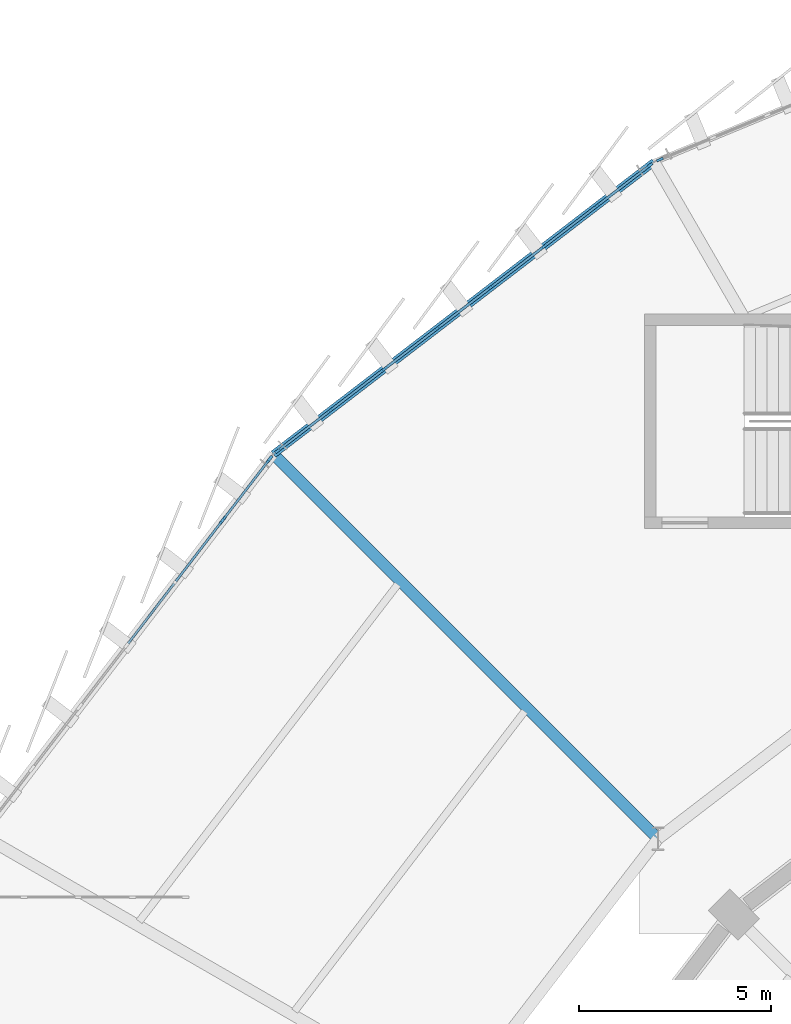
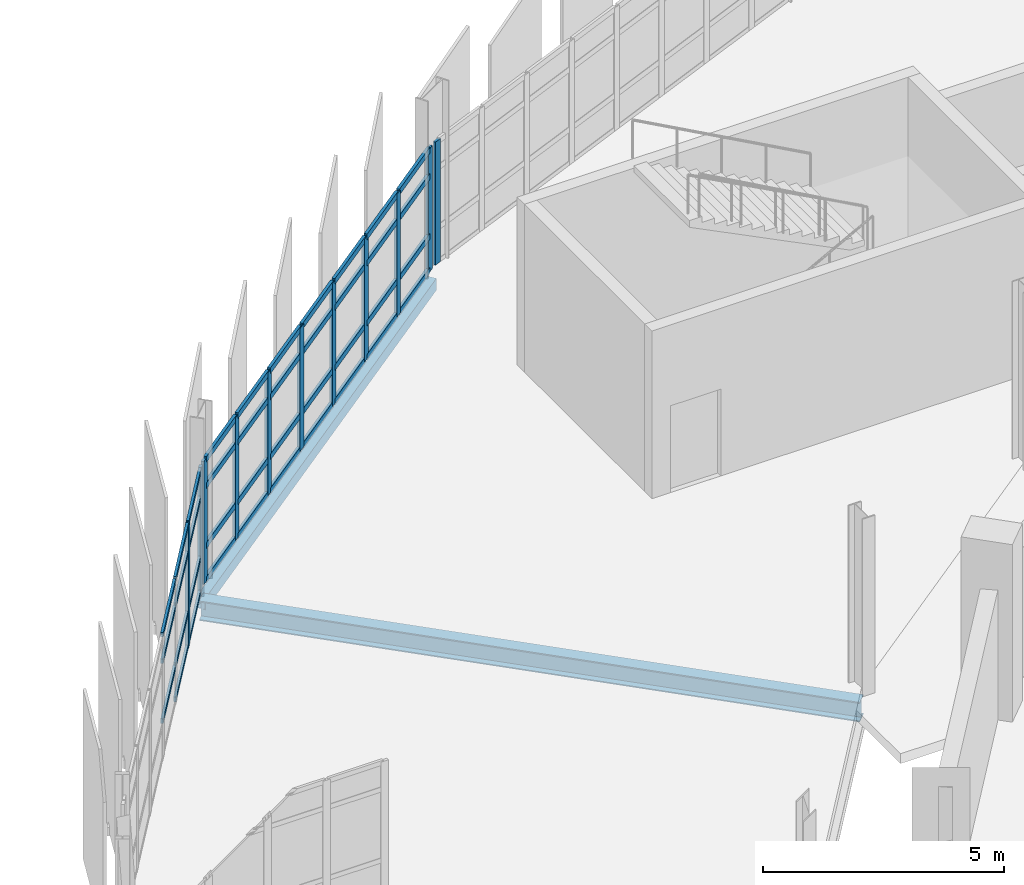
# One storey, part 52 of 134: 50 members, 2 beams, 3 elements without a shape of their own.
"""IFC4 building model written with IfcOpenShell, lengths in metres."""

from ifc_helpers import new_model, si_unit, direction, frame, origin, origin_2d, place, context, subcontext, project, spatial, rectangle, hollow_rectangle, i_section, extrude, material, layer, layer_set, material_profile, profile_set, type_object, element, aggregate, save


model = new_model("IFC4")

# Units and contexts
model_context = context("Model", 3, precision=1e-05, world=origin(), true_north=direction((0.0, 1.0)))
body_context = subcontext(model_context, "Body", "Model", "MODEL_VIEW")
ifc_project = project(units=[si_unit("LENGTHUNIT", "METRE"), si_unit("AREAUNIT", "SQUARE_METRE"), si_unit("VOLUMEUNIT", "CUBIC_METRE"), si_unit("PLANEANGLEUNIT", "RADIAN"), si_unit("MASSUNIT", "GRAM", prefix="KILO")], contexts=[model_context])

# Site, building, storey
site_placement = place(None, origin())
site = spatial("IfcSite", under=ifc_project, at=site_placement, CompositionType="ELEMENT")
building_placement = place(site_placement, origin())
building = spatial("IfcBuilding", under=site, at=building_placement, Name="Sohan Crest Arena", CompositionType="ELEMENT")
storey_placement = place(building_placement, frame((0.0, 0.0, 4.5)))
storey = spatial("IfcBuildingStorey", under=building, at=storey_placement, Name="L01", CompositionType="ELEMENT", Elevation=4.5)

# Curtain wall, member
ifc_material_1 = material(Name="Thermally broken anodised aluminium", Category="aluminium")
ifc_layer_1 = layer(ifc_material_1, 0.199951171875, Name="Thermally broken anodised aluminium")
ifc_layer_set_1 = layer_set([ifc_layer_1], Name="Thermally broken anodised aluminium")
curtain_wall_type_1 = type_object("IfcCurtainWallType", Name="ARC-CW02", PredefinedType="NOTDEFINED", material=ifc_layer_set_1)
curtain_wall_1_placement = place(storey_placement, origin())
curtain_wall_1 = element("IfcCurtainWall", 1, at=curtain_wall_1_placement, inside=storey, type_object=curtain_wall_type_1, Name="Unitised curtain wall CW-021", PredefinedType="NOTDEFINED")
ifc_material_profile_1 = material_profile(ifc_material_1, rectangle(XDim=0.06494140625, YDim=0.179931640625, at=origin_2d()), Name="ALU-MULL 65x180")
ifc_profile_set_1 = profile_set([ifc_material_profile_1], Name="Thermally broken anodised aluminium")
member_type_1 = type_object("IfcMemberType", Name="ARC-CW-ML02", PredefinedType="MULLION", material=ifc_profile_set_1)
member_1_placement = place(storey_placement, frame((74.150146484375, 119.63134765625, 0.0), z_axis=(0.0, 0.0, 1.0), x_axis=(0.382618103525, -0.923906589897, 0.0)))
member_1 = element("IfcMember", 2, at=member_1_placement, type_object=member_type_1, Name="CW-021 mullion 9", PredefinedType="MULLION", context=body_context, shape_type="SweptSolid", body=[
    extrude(rectangle(XDim=0.06494140625, YDim=0.179931640625, at=origin_2d()), origin(), (0.0, 0.0, 1.0), 3.1201171875),
])
aggregate(curtain_wall_1, [member_1])

# Curtain wall, members
ifc_layer_2 = layer(ifc_material_1, 0.219970703125, Name="Thermally broken anodised aluminium")
ifc_layer_set_2 = layer_set([ifc_layer_2], Name="Thermally broken anodised aluminium")
curtain_wall_type_2 = type_object("IfcCurtainWallType", Name="ARC-CW03", PredefinedType="NOTDEFINED", material=ifc_layer_set_2)
curtain_wall_2_placement = place(storey_placement, origin())
curtain_wall_2 = element("IfcCurtainWall", 3, at=curtain_wall_2_placement, inside=storey, type_object=curtain_wall_type_2, Name="Unitised curtain wall CW-022", PredefinedType="NOTDEFINED")
ifc_material_profile_2 = material_profile(ifc_material_1, rectangle(XDim=0.070068359375, YDim=0.199951171875, at=origin_2d()), Name="ALU-MULL 70x200")
ifc_profile_set_2 = profile_set([ifc_material_profile_2], Name="Thermally broken anodised aluminium")
member_type_2 = type_object("IfcMemberType", Name="ARC-CW-ML03", PredefinedType="MULLION", material=ifc_profile_set_2)
member_2_placement = place(storey_placement, frame((73.869140625, 119.46875, 0.0), z_axis=(0.0, 0.0, 1.0), x_axis=(0.608765110447, -0.793350515411, 0.0)))
member_2 = element("IfcMember", 4, at=member_2_placement, type_object=member_type_2, Name="CW-022 mullion 1", PredefinedType="MULLION", context=body_context, shape_type="SweptSolid", body=[
    extrude(rectangle(XDim=0.070068359375, YDim=0.199951171875, at=origin_2d()), origin(), (0.0, 0.0, 1.0), 3.1201171875),
])
member_3_placement = place(storey_placement, frame((72.50634765625, 118.4228515625, 0.0), z_axis=(0.0, 0.0, 1.0), x_axis=(0.608765110447, -0.793350515411, 0.0)))
member_3 = element("IfcMember", 5, at=member_3_placement, type_object=member_type_2, Name="CW-022 mullion 2", PredefinedType="MULLION", context=body_context, shape_type="SweptSolid", body=[
    extrude(rectangle(XDim=0.070068359375, YDim=0.199951171875, at=origin_2d()), origin(), (0.0, 0.0, 1.0), 3.1201171875),
])
member_4_placement = place(storey_placement, frame((71.115478515625, 117.355712890625, 0.0), z_axis=(0.0, 0.0, 1.0), x_axis=(0.608765110447, -0.793350515411, 0.0)))
member_4 = element("IfcMember", 6, at=member_4_placement, type_object=member_type_2, Name="CW-022 mullion 3", PredefinedType="MULLION", context=body_context, shape_type="SweptSolid", body=[
    extrude(rectangle(XDim=0.070068359375, YDim=0.199951171875, at=origin_2d()), origin(), (0.0, 0.0, 1.0), 3.1201171875),
])
member_5_placement = place(storey_placement, frame((69.724853515625, 116.28857421875, 0.0), z_axis=(0.0, 0.0, 1.0), x_axis=(0.608765110447, -0.793350515411, 0.0)))
member_5 = element("IfcMember", 7, at=member_5_placement, type_object=member_type_2, Name="CW-022 mullion 4", PredefinedType="MULLION", context=body_context, shape_type="SweptSolid", body=[
    extrude(rectangle(XDim=0.070068359375, YDim=0.199951171875, at=origin_2d()), origin(), (0.0, 0.0, 1.0), 3.1201171875),
])
member_6_placement = place(storey_placement, frame((68.334228515625, 115.221435546875, 0.0), z_axis=(0.0, 0.0, 1.0), x_axis=(0.608765110447, -0.793350515411, 0.0)))
member_6 = element("IfcMember", 8, at=member_6_placement, type_object=member_type_2, Name="CW-022 mullion 5", PredefinedType="MULLION", context=body_context, shape_type="SweptSolid", body=[
    extrude(rectangle(XDim=0.070068359375, YDim=0.199951171875, at=origin_2d()), origin(), (0.0, 0.0, 1.0), 3.1201171875),
])
member_7_placement = place(storey_placement, frame((66.943359375, 114.154296875, 0.0), z_axis=(0.0, 0.0, 1.0), x_axis=(0.608765110447, -0.793350515411, 0.0)))
member_7 = element("IfcMember", 9, at=member_7_placement, type_object=member_type_2, Name="CW-022 mullion 6", PredefinedType="MULLION", context=body_context, shape_type="SweptSolid", body=[
    extrude(rectangle(XDim=0.070068359375, YDim=0.199951171875, at=origin_2d()), origin(), (0.0, 0.0, 1.0), 3.1201171875),
])
member_8_placement = place(storey_placement, frame((65.552734375, 113.087158203125, 0.0), z_axis=(0.0, 0.0, 1.0), x_axis=(0.608765110447, -0.793350515411, 0.0)))
member_8 = element("IfcMember", 10, at=member_8_placement, type_object=member_type_2, Name="CW-022 mullion 7", PredefinedType="MULLION", context=body_context, shape_type="SweptSolid", body=[
    extrude(rectangle(XDim=0.070068359375, YDim=0.199951171875, at=origin_2d()), origin(), (0.0, 0.0, 1.0), 3.1201171875),
])
member_9_placement = place(storey_placement, frame((64.189697265625, 112.041259765625, 0.0), z_axis=(0.0, 0.0, 1.0), x_axis=(0.608765110447, -0.793350515411, 0.0)))
member_9 = element("IfcMember", 11, at=member_9_placement, type_object=member_type_2, Name="CW-022 mullion 8", PredefinedType="MULLION", context=body_context, shape_type="SweptSolid", body=[
    extrude(rectangle(XDim=0.070068359375, YDim=0.199951171875, at=origin_2d()), origin(), (0.0, 0.0, 1.0), 3.1201171875),
])

ifc_layer_3 = layer(ifc_material_1, 0.239990234375, Name="Thermally broken anodised aluminium")
ifc_layer_set_3 = layer_set([ifc_layer_3], Name="Thermally broken anodised aluminium")
curtain_wall_type_3 = type_object("IfcCurtainWallType", Name="ARC-CW04", PredefinedType="NOTDEFINED", material=ifc_layer_set_3)
curtain_wall_3_placement = place(storey_placement, origin())
curtain_wall_3 = element("IfcCurtainWall", 12, at=curtain_wall_3_placement, inside=storey, type_object=curtain_wall_type_3, Name="Unitised curtain wall CW-023", PredefinedType="NOTDEFINED")
ifc_material_profile_3 = material_profile(ifc_material_1, rectangle(XDim=0.074951171875, YDim=0.219970703125, at=origin_2d()), Name="ALU-MULL 75x220")
ifc_profile_set_3 = profile_set([ifc_material_profile_3], Name="Thermally broken anodised aluminium")
member_type_3 = type_object("IfcMemberType", Name="ARC-CW-ML04", PredefinedType="MULLION", material=ifc_profile_set_3)
member_10_placement = place(storey_placement, frame((63.957275390625, 111.808349609375, 0.0), z_axis=(0.0, 0.0, 1.0), x_axis=(0.793350515411, -0.608765110447, 0.0)))
member_10 = element("IfcMember", 13, at=member_10_placement, type_object=member_type_3, Name="CW-023 mullion 1", PredefinedType="MULLION", context=body_context, shape_type="SweptSolid", body=[
    extrude(rectangle(XDim=0.074951171875, YDim=0.219970703125, at=origin_2d()), origin(), (0.0, 0.0, 1.0), 3.1201171875),
])
member_11_placement = place(storey_placement, frame((62.735107421875, 110.215576171875, 0.0), z_axis=(0.0, 0.0, 1.0), x_axis=(0.793350515411, -0.608765110447, 0.0)))
member_11 = element("IfcMember", 14, at=member_11_placement, type_object=member_type_3, Name="CW-023 mullion 2", PredefinedType="MULLION", context=body_context, shape_type="SweptSolid", body=[
    extrude(rectangle(XDim=0.074951171875, YDim=0.219970703125, at=origin_2d()), origin(), (0.0, 0.0, 1.0), 3.1201171875),
])
ifc_material_profile_4 = material_profile(ifc_material_1, rectangle(XDim=0.06005859375, YDim=0.1201171875, at=origin_2d()), Name="ALU-TRAN 60x120")
ifc_profile_set_4 = profile_set([ifc_material_profile_4], Name="Thermally broken anodised aluminium")
member_type_4 = type_object("IfcMemberType", Name="ARC-CW-TR01", PredefinedType="USERDEFINED", material=ifc_profile_set_4)
member_12_placement = place(storey_placement, frame((63.934326171875, 111.778564453125, 0.030029296875), z_axis=(-0.60877625917, -0.793341960488, 0.0), x_axis=(0.793341960488, -0.60877625917, 0.0)))
member_12 = element("IfcMember", 15, at=member_12_placement, type_object=member_type_4, Name="CW-023 transom 1.1", ObjectType="TRANSOM", PredefinedType="USERDEFINED", context=body_context, shape_type="SweptSolid", body=[
    extrude(rectangle(XDim=0.06005859375, YDim=0.1201171875, at=origin_2d()), origin(), (0.0, 0.0, 1.0), 1.9326171875),
])
member_13_placement = place(storey_placement, frame((63.934326171875, 111.778564453125, 0.89990234375), z_axis=(-0.60877625917, -0.793341960488, 0.0), x_axis=(0.793341960488, -0.60877625917, 0.0)))
member_13 = element("IfcMember", 16, at=member_13_placement, type_object=member_type_4, Name="CW-023 transom 1.2", ObjectType="TRANSOM", PredefinedType="USERDEFINED", context=body_context, shape_type="SweptSolid", body=[
    extrude(rectangle(XDim=0.06005859375, YDim=0.1201171875, at=origin_2d()), origin(), (0.0, 0.0, 1.0), 1.9326171875),
])
member_14_placement = place(storey_placement, frame((63.934326171875, 111.778564453125, 2.419921875), z_axis=(-0.60877625917, -0.793341960488, 0.0), x_axis=(0.793341960488, -0.60877625917, 0.0)))
member_14 = element("IfcMember", 17, at=member_14_placement, type_object=member_type_4, Name="CW-023 transom 1.3", ObjectType="TRANSOM", PredefinedType="USERDEFINED", context=body_context, shape_type="SweptSolid", body=[
    extrude(rectangle(XDim=0.06005859375, YDim=0.1201171875, at=origin_2d()), origin(), (0.0, 0.0, 1.0), 1.9326171875),
])
member_15_placement = place(storey_placement, frame((63.934326171875, 111.778564453125, 3.090087890625), z_axis=(-0.60877625917, -0.793341960488, 0.0), x_axis=(0.793341960488, -0.60877625917, 0.0)))
member_15 = element("IfcMember", 18, at=member_15_placement, type_object=member_type_4, Name="CW-023 transom 1.4", ObjectType="TRANSOM", PredefinedType="USERDEFINED", context=body_context, shape_type="SweptSolid", body=[
    extrude(rectangle(XDim=0.06005859375, YDim=0.1201171875, at=origin_2d()), origin(), (0.0, 0.0, 1.0), 1.9326171875),
])
member_16_placement = place(storey_placement, frame((62.712158203125, 110.185791015625, 0.030029296875), z_axis=(-0.608728092779, -0.793378918968, 0.0), x_axis=(0.793378918968, -0.608728092779, 0.0)))
member_16 = element("IfcMember", 19, at=member_16_placement, type_object=member_type_4, Name="CW-023 transom 2.1", ObjectType="TRANSOM", PredefinedType="USERDEFINED", context=body_context, shape_type="SweptSolid", body=[
    extrude(rectangle(XDim=0.06005859375, YDim=0.1201171875, at=origin_2d()), origin(), (0.0, 0.0, 1.0), 1.969970703125),
])
member_17_placement = place(storey_placement, frame((62.712158203125, 110.185791015625, 0.89990234375), z_axis=(-0.608728092779, -0.793378918968, 0.0), x_axis=(0.793378918968, -0.608728092779, 0.0)))
member_17 = element("IfcMember", 20, at=member_17_placement, type_object=member_type_4, Name="CW-023 transom 2.2", ObjectType="TRANSOM", PredefinedType="USERDEFINED", context=body_context, shape_type="SweptSolid", body=[
    extrude(rectangle(XDim=0.06005859375, YDim=0.1201171875, at=origin_2d()), origin(), (0.0, 0.0, 1.0), 1.969970703125),
])
member_18_placement = place(storey_placement, frame((62.712158203125, 110.185791015625, 2.419921875), z_axis=(-0.608728092779, -0.793378918968, 0.0), x_axis=(0.793378918968, -0.608728092779, 0.0)))
member_18 = element("IfcMember", 21, at=member_18_placement, type_object=member_type_4, Name="CW-023 transom 2.3", ObjectType="TRANSOM", PredefinedType="USERDEFINED", context=body_context, shape_type="SweptSolid", body=[
    extrude(rectangle(XDim=0.06005859375, YDim=0.1201171875, at=origin_2d()), origin(), (0.0, 0.0, 1.0), 1.969970703125),
])
member_19_placement = place(storey_placement, frame((62.712158203125, 110.185791015625, 3.090087890625), z_axis=(-0.608728092779, -0.793378918968, 0.0), x_axis=(0.793378918968, -0.608728092779, 0.0)))
member_19 = element("IfcMember", 22, at=member_19_placement, type_object=member_type_4, Name="CW-023 transom 2.4", ObjectType="TRANSOM", PredefinedType="USERDEFINED", context=body_context, shape_type="SweptSolid", body=[
    extrude(rectangle(XDim=0.06005859375, YDim=0.1201171875, at=origin_2d()), origin(), (0.0, 0.0, 1.0), 1.969970703125),
])
member_20_placement = place(storey_placement, frame((61.46728515625, 108.563232421875, 0.89990234375), z_axis=(-0.608806089645, -0.793319068982, 0.0), x_axis=(0.793319068982, -0.608806089645, 0.0)))
member_20 = element("IfcMember", 23, at=member_20_placement, type_object=member_type_4, Name="CW-023 transom 3.2", ObjectType="TRANSOM", PredefinedType="USERDEFINED", context=body_context, shape_type="SweptSolid", body=[
    extrude(rectangle(XDim=0.06005859375, YDim=0.1201171875, at=origin_2d()), origin(), (0.0, 0.0, 1.0), 1.97021484375),
])
member_21_placement = place(storey_placement, frame((61.46728515625, 108.563232421875, 2.419921875), z_axis=(-0.608806089645, -0.793319068982, 0.0), x_axis=(0.793319068982, -0.608806089645, 0.0)))
member_21 = element("IfcMember", 24, at=member_21_placement, type_object=member_type_4, Name="CW-023 transom 3.3", ObjectType="TRANSOM", PredefinedType="USERDEFINED", context=body_context, shape_type="SweptSolid", body=[
    extrude(rectangle(XDim=0.06005859375, YDim=0.1201171875, at=origin_2d()), origin(), (0.0, 0.0, 1.0), 1.97021484375),
])
member_22_placement = place(storey_placement, frame((61.46728515625, 108.563232421875, 3.090087890625), z_axis=(-0.608806089645, -0.793319068982, 0.0), x_axis=(0.793319068982, -0.608806089645, 0.0)))
member_22 = element("IfcMember", 25, at=member_22_placement, type_object=member_type_4, Name="CW-023 transom 3.4", ObjectType="TRANSOM", PredefinedType="USERDEFINED", context=body_context, shape_type="SweptSolid", body=[
    extrude(rectangle(XDim=0.06005859375, YDim=0.1201171875, at=origin_2d()), origin(), (0.0, 0.0, 1.0), 1.97021484375),
])
aggregate(curtain_wall_3, [member_10, member_11, member_12, member_13, member_14, member_15, member_16, member_17, member_18, member_19, member_20, member_21, member_22])

# Member
ifc_material_profile_5 = material_profile(ifc_material_1, rectangle(XDim=0.070068359375, YDim=0.14990234375, at=origin_2d()), Name="ALU-TRAN 70x150")
ifc_profile_set_5 = profile_set([ifc_material_profile_5], Name="Thermally broken anodised aluminium")
member_type_5 = type_object("IfcMemberType", Name="ARC-CW-TR03", PredefinedType="USERDEFINED", material=ifc_profile_set_5)
member_23_placement = place(storey_placement, frame((73.841552734375, 119.447265625, 0.034912109375), z_axis=(-0.793410811207, -0.608686524132, 0.0), x_axis=(0.608686524132, -0.793410811207, 0.0)))
member_23 = element("IfcMember", 26, at=member_23_placement, type_object=member_type_5, Name="CW-022 transom 1.1", ObjectType="TRANSOM", PredefinedType="USERDEFINED", context=body_context, shape_type="SweptSolid", body=[
    extrude(rectangle(XDim=0.070068359375, YDim=0.14990234375, at=origin_2d()), origin(), (0.0, 0.0, 1.0), 1.648193359375),
])

member_24_placement = place(storey_placement, frame((73.841552734375, 119.447265625, 0.89990234375), z_axis=(-0.793410811207, -0.608686524132, 0.0), x_axis=(0.608686524132, -0.793410811207, 0.0)))
member_24 = element("IfcMember", 27, at=member_24_placement, type_object=member_type_5, Name="CW-022 transom 1.2", ObjectType="TRANSOM", PredefinedType="USERDEFINED", context=body_context, shape_type="SweptSolid", body=[
    extrude(rectangle(XDim=0.070068359375, YDim=0.14990234375, at=origin_2d()), origin(), (0.0, 0.0, 1.0), 1.648193359375),
])

member_25_placement = place(storey_placement, frame((73.841552734375, 119.447265625, 2.419921875), z_axis=(-0.793410811207, -0.608686524132, 0.0), x_axis=(0.608686524132, -0.793410811207, 0.0)))
member_25 = element("IfcMember", 28, at=member_25_placement, type_object=member_type_5, Name="CW-022 transom 1.3", ObjectType="TRANSOM", PredefinedType="USERDEFINED", context=body_context, shape_type="SweptSolid", body=[
    extrude(rectangle(XDim=0.070068359375, YDim=0.14990234375, at=origin_2d()), origin(), (0.0, 0.0, 1.0), 1.648193359375),
])

member_26_placement = place(storey_placement, frame((73.841552734375, 119.447265625, 3.0849609375), z_axis=(-0.793410811207, -0.608686524132, 0.0), x_axis=(0.608686524132, -0.793410811207, 0.0)))
member_26 = element("IfcMember", 29, at=member_26_placement, type_object=member_type_5, Name="CW-022 transom 1.4", ObjectType="TRANSOM", PredefinedType="USERDEFINED", context=body_context, shape_type="SweptSolid", body=[
    extrude(rectangle(XDim=0.070068359375, YDim=0.14990234375, at=origin_2d()), origin(), (0.0, 0.0, 1.0), 1.648193359375),
])

member_27_placement = place(storey_placement, frame((72.478515625, 118.401611328125, 0.034912109375), z_axis=(-0.793319101812, -0.608806046865, 0.0), x_axis=(0.608806046865, -0.793319101812, 0.0)))
member_27 = element("IfcMember", 30, at=member_27_placement, type_object=member_type_5, Name="CW-022 transom 2.1", ObjectType="TRANSOM", PredefinedType="USERDEFINED", context=body_context, shape_type="SweptSolid", body=[
    extrude(rectangle(XDim=0.070068359375, YDim=0.14990234375, at=origin_2d()), origin(), (0.0, 0.0, 1.0), 1.68310546875),
])

member_28_placement = place(storey_placement, frame((72.478515625, 118.401611328125, 0.89990234375), z_axis=(-0.793319101812, -0.608806046865, 0.0), x_axis=(0.608806046865, -0.793319101812, 0.0)))
member_28 = element("IfcMember", 31, at=member_28_placement, type_object=member_type_5, Name="CW-022 transom 2.2", ObjectType="TRANSOM", PredefinedType="USERDEFINED", context=body_context, shape_type="SweptSolid", body=[
    extrude(rectangle(XDim=0.070068359375, YDim=0.14990234375, at=origin_2d()), origin(), (0.0, 0.0, 1.0), 1.68310546875),
])

member_29_placement = place(storey_placement, frame((72.478515625, 118.401611328125, 2.419921875), z_axis=(-0.793319101812, -0.608806046865, 0.0), x_axis=(0.608806046865, -0.793319101812, 0.0)))
member_29 = element("IfcMember", 32, at=member_29_placement, type_object=member_type_5, Name="CW-022 transom 2.3", ObjectType="TRANSOM", PredefinedType="USERDEFINED", context=body_context, shape_type="SweptSolid", body=[
    extrude(rectangle(XDim=0.070068359375, YDim=0.14990234375, at=origin_2d()), origin(), (0.0, 0.0, 1.0), 1.68310546875),
])

member_30_placement = place(storey_placement, frame((72.478515625, 118.401611328125, 3.0849609375), z_axis=(-0.793319101812, -0.608806046865, 0.0), x_axis=(0.608806046865, -0.793319101812, 0.0)))
member_30 = element("IfcMember", 33, at=member_30_placement, type_object=member_type_5, Name="CW-022 transom 2.4", ObjectType="TRANSOM", PredefinedType="USERDEFINED", context=body_context, shape_type="SweptSolid", body=[
    extrude(rectangle(XDim=0.070068359375, YDim=0.14990234375, at=origin_2d()), origin(), (0.0, 0.0, 1.0), 1.68310546875),
])

member_31_placement = place(storey_placement, frame((71.087890625, 117.33447265625, 0.034912109375), z_axis=(-0.793319101812, -0.608806046865, 0.0), x_axis=(0.608806046865, -0.793319101812, 0.0)))
member_31 = element("IfcMember", 34, at=member_31_placement, type_object=member_type_5, Name="CW-022 transom 3.1", ObjectType="TRANSOM", PredefinedType="USERDEFINED", context=body_context, shape_type="SweptSolid", body=[
    extrude(rectangle(XDim=0.070068359375, YDim=0.14990234375, at=origin_2d()), origin(), (0.0, 0.0, 1.0), 1.68310546875),
])

member_32_placement = place(storey_placement, frame((71.087890625, 117.33447265625, 0.89990234375), z_axis=(-0.793319101812, -0.608806046865, 0.0), x_axis=(0.608806046865, -0.793319101812, 0.0)))
member_32 = element("IfcMember", 35, at=member_32_placement, type_object=member_type_5, Name="CW-022 transom 3.2", ObjectType="TRANSOM", PredefinedType="USERDEFINED", context=body_context, shape_type="SweptSolid", body=[
    extrude(rectangle(XDim=0.070068359375, YDim=0.14990234375, at=origin_2d()), origin(), (0.0, 0.0, 1.0), 1.68310546875),
])

member_33_placement = place(storey_placement, frame((71.087890625, 117.33447265625, 2.419921875), z_axis=(-0.793319101812, -0.608806046865, 0.0), x_axis=(0.608806046865, -0.793319101812, 0.0)))
member_33 = element("IfcMember", 36, at=member_33_placement, type_object=member_type_5, Name="CW-022 transom 3.3", ObjectType="TRANSOM", PredefinedType="USERDEFINED", context=body_context, shape_type="SweptSolid", body=[
    extrude(rectangle(XDim=0.070068359375, YDim=0.14990234375, at=origin_2d()), origin(), (0.0, 0.0, 1.0), 1.68310546875),
])

member_34_placement = place(storey_placement, frame((71.087890625, 117.33447265625, 3.0849609375), z_axis=(-0.793319101812, -0.608806046865, 0.0), x_axis=(0.608806046865, -0.793319101812, 0.0)))
member_34 = element("IfcMember", 37, at=member_34_placement, type_object=member_type_5, Name="CW-022 transom 3.4", ObjectType="TRANSOM", PredefinedType="USERDEFINED", context=body_context, shape_type="SweptSolid", body=[
    extrude(rectangle(XDim=0.070068359375, YDim=0.14990234375, at=origin_2d()), origin(), (0.0, 0.0, 1.0), 1.68310546875),
])

member_35_placement = place(storey_placement, frame((69.697021484375, 116.267333984375, 0.034912109375), z_axis=(-0.793319101812, -0.608806046865, 0.0), x_axis=(0.608806046865, -0.793319101812, 0.0)))
member_35 = element("IfcMember", 38, at=member_35_placement, type_object=member_type_5, Name="CW-022 transom 4.1", ObjectType="TRANSOM", PredefinedType="USERDEFINED", context=body_context, shape_type="SweptSolid", body=[
    extrude(rectangle(XDim=0.070068359375, YDim=0.14990234375, at=origin_2d()), origin(), (0.0, 0.0, 1.0), 1.68310546875),
])

member_36_placement = place(storey_placement, frame((69.697021484375, 116.267333984375, 0.89990234375), z_axis=(-0.793319101812, -0.608806046865, 0.0), x_axis=(0.608806046865, -0.793319101812, 0.0)))
member_36 = element("IfcMember", 39, at=member_36_placement, type_object=member_type_5, Name="CW-022 transom 4.2", ObjectType="TRANSOM", PredefinedType="USERDEFINED", context=body_context, shape_type="SweptSolid", body=[
    extrude(rectangle(XDim=0.070068359375, YDim=0.14990234375, at=origin_2d()), origin(), (0.0, 0.0, 1.0), 1.68310546875),
])

member_37_placement = place(storey_placement, frame((69.697021484375, 116.267333984375, 2.419921875), z_axis=(-0.793319101812, -0.608806046865, 0.0), x_axis=(0.608806046865, -0.793319101812, 0.0)))
member_37 = element("IfcMember", 40, at=member_37_placement, type_object=member_type_5, Name="CW-022 transom 4.3", ObjectType="TRANSOM", PredefinedType="USERDEFINED", context=body_context, shape_type="SweptSolid", body=[
    extrude(rectangle(XDim=0.070068359375, YDim=0.14990234375, at=origin_2d()), origin(), (0.0, 0.0, 1.0), 1.68310546875),
])

member_38_placement = place(storey_placement, frame((69.697021484375, 116.267333984375, 3.0849609375), z_axis=(-0.793319101812, -0.608806046865, 0.0), x_axis=(0.608806046865, -0.793319101812, 0.0)))
member_38 = element("IfcMember", 41, at=member_38_placement, type_object=member_type_5, Name="CW-022 transom 4.4", ObjectType="TRANSOM", PredefinedType="USERDEFINED", context=body_context, shape_type="SweptSolid", body=[
    extrude(rectangle(XDim=0.070068359375, YDim=0.14990234375, at=origin_2d()), origin(), (0.0, 0.0, 1.0), 1.68310546875),
])

member_39_placement = place(storey_placement, frame((68.306396484375, 115.2001953125, 0.034912109375), z_axis=(-0.793319101812, -0.608806046865, 0.0), x_axis=(0.608806046865, -0.793319101812, 0.0)))
member_39 = element("IfcMember", 42, at=member_39_placement, type_object=member_type_5, Name="CW-022 transom 5.1", ObjectType="TRANSOM", PredefinedType="USERDEFINED", context=body_context, shape_type="SweptSolid", body=[
    extrude(rectangle(XDim=0.070068359375, YDim=0.14990234375, at=origin_2d()), origin(), (0.0, 0.0, 1.0), 1.68310546875),
])

member_40_placement = place(storey_placement, frame((68.306396484375, 115.2001953125, 0.89990234375), z_axis=(-0.793319101812, -0.608806046865, 0.0), x_axis=(0.608806046865, -0.793319101812, 0.0)))
member_40 = element("IfcMember", 43, at=member_40_placement, type_object=member_type_5, Name="CW-022 transom 5.2", ObjectType="TRANSOM", PredefinedType="USERDEFINED", context=body_context, shape_type="SweptSolid", body=[
    extrude(rectangle(XDim=0.070068359375, YDim=0.14990234375, at=origin_2d()), origin(), (0.0, 0.0, 1.0), 1.68310546875),
])

member_41_placement = place(storey_placement, frame((68.306396484375, 115.2001953125, 2.419921875), z_axis=(-0.793319101812, -0.608806046865, 0.0), x_axis=(0.608806046865, -0.793319101812, 0.0)))
member_41 = element("IfcMember", 44, at=member_41_placement, type_object=member_type_5, Name="CW-022 transom 5.3", ObjectType="TRANSOM", PredefinedType="USERDEFINED", context=body_context, shape_type="SweptSolid", body=[
    extrude(rectangle(XDim=0.070068359375, YDim=0.14990234375, at=origin_2d()), origin(), (0.0, 0.0, 1.0), 1.68310546875),
])

member_42_placement = place(storey_placement, frame((68.306396484375, 115.2001953125, 3.0849609375), z_axis=(-0.793319101812, -0.608806046865, 0.0), x_axis=(0.608806046865, -0.793319101812, 0.0)))
member_42 = element("IfcMember", 45, at=member_42_placement, type_object=member_type_5, Name="CW-022 transom 5.4", ObjectType="TRANSOM", PredefinedType="USERDEFINED", context=body_context, shape_type="SweptSolid", body=[
    extrude(rectangle(XDim=0.070068359375, YDim=0.14990234375, at=origin_2d()), origin(), (0.0, 0.0, 1.0), 1.68310546875),
])

member_43_placement = place(storey_placement, frame((66.915771484375, 114.133056640625, 0.034912109375), z_axis=(-0.793319101812, -0.608806046865, 0.0), x_axis=(0.608806046865, -0.793319101812, 0.0)))
member_43 = element("IfcMember", 46, at=member_43_placement, type_object=member_type_5, Name="CW-022 transom 6.1", ObjectType="TRANSOM", PredefinedType="USERDEFINED", context=body_context, shape_type="SweptSolid", body=[
    extrude(rectangle(XDim=0.070068359375, YDim=0.14990234375, at=origin_2d()), origin(), (0.0, 0.0, 1.0), 1.68310546875),
])

member_44_placement = place(storey_placement, frame((66.915771484375, 114.133056640625, 0.89990234375), z_axis=(-0.793319101812, -0.608806046865, 0.0), x_axis=(0.608806046865, -0.793319101812, 0.0)))
member_44 = element("IfcMember", 47, at=member_44_placement, type_object=member_type_5, Name="CW-022 transom 6.2", ObjectType="TRANSOM", PredefinedType="USERDEFINED", context=body_context, shape_type="SweptSolid", body=[
    extrude(rectangle(XDim=0.070068359375, YDim=0.14990234375, at=origin_2d()), origin(), (0.0, 0.0, 1.0), 1.68310546875),
])

member_45_placement = place(storey_placement, frame((66.915771484375, 114.133056640625, 2.419921875), z_axis=(-0.793319101812, -0.608806046865, 0.0), x_axis=(0.608806046865, -0.793319101812, 0.0)))
member_45 = element("IfcMember", 48, at=member_45_placement, type_object=member_type_5, Name="CW-022 transom 6.3", ObjectType="TRANSOM", PredefinedType="USERDEFINED", context=body_context, shape_type="SweptSolid", body=[
    extrude(rectangle(XDim=0.070068359375, YDim=0.14990234375, at=origin_2d()), origin(), (0.0, 0.0, 1.0), 1.68310546875),
])

member_46_placement = place(storey_placement, frame((66.915771484375, 114.133056640625, 3.0849609375), z_axis=(-0.793319101812, -0.608806046865, 0.0), x_axis=(0.608806046865, -0.793319101812, 0.0)))
member_46 = element("IfcMember", 49, at=member_46_placement, type_object=member_type_5, Name="CW-022 transom 6.4", ObjectType="TRANSOM", PredefinedType="USERDEFINED", context=body_context, shape_type="SweptSolid", body=[
    extrude(rectangle(XDim=0.070068359375, YDim=0.14990234375, at=origin_2d()), origin(), (0.0, 0.0, 1.0), 1.68310546875),
])

member_47_placement = place(storey_placement, frame((65.52490234375, 113.06591796875, 0.034912109375), z_axis=(-0.793284366674, -0.608851306635, 0.0), x_axis=(0.608851306635, -0.793284366674, 0.0)))
member_47 = element("IfcMember", 50, at=member_47_placement, type_object=member_type_5, Name="CW-022 transom 7.1", ObjectType="TRANSOM", PredefinedType="USERDEFINED", context=body_context, shape_type="SweptSolid", body=[
    extrude(rectangle(XDim=0.070068359375, YDim=0.14990234375, at=origin_2d()), origin(), (0.0, 0.0, 1.0), 1.64794921875),
])

member_48_placement = place(storey_placement, frame((65.52490234375, 113.06591796875, 0.89990234375), z_axis=(-0.793284366674, -0.608851306635, 0.0), x_axis=(0.608851306635, -0.793284366674, 0.0)))
member_48 = element("IfcMember", 51, at=member_48_placement, type_object=member_type_5, Name="CW-022 transom 7.2", ObjectType="TRANSOM", PredefinedType="USERDEFINED", context=body_context, shape_type="SweptSolid", body=[
    extrude(rectangle(XDim=0.070068359375, YDim=0.14990234375, at=origin_2d()), origin(), (0.0, 0.0, 1.0), 1.64794921875),
])

member_49_placement = place(storey_placement, frame((65.52490234375, 113.06591796875, 2.419921875), z_axis=(-0.793284366674, -0.608851306635, 0.0), x_axis=(0.608851306635, -0.793284366674, 0.0)))
member_49 = element("IfcMember", 52, at=member_49_placement, type_object=member_type_5, Name="CW-022 transom 7.3", ObjectType="TRANSOM", PredefinedType="USERDEFINED", context=body_context, shape_type="SweptSolid", body=[
    extrude(rectangle(XDim=0.070068359375, YDim=0.14990234375, at=origin_2d()), origin(), (0.0, 0.0, 1.0), 1.64794921875),
])

member_50_placement = place(storey_placement, frame((65.52490234375, 113.06591796875, 3.0849609375), z_axis=(-0.793284366674, -0.608851306635, 0.0), x_axis=(0.608851306635, -0.793284366674, 0.0)))
member_50 = element("IfcMember", 53, at=member_50_placement, type_object=member_type_5, Name="CW-022 transom 7.4", ObjectType="TRANSOM", PredefinedType="USERDEFINED", context=body_context, shape_type="SweptSolid", body=[
    extrude(rectangle(XDim=0.070068359375, YDim=0.14990234375, at=origin_2d()), origin(), (0.0, 0.0, 1.0), 1.64794921875),
])

aggregate(curtain_wall_2, [member_2, member_3, member_4, member_5, member_6, member_7, member_8, member_9, member_23, member_24, member_25, member_26, member_27, member_28, member_29, member_30, member_31, member_32, member_33, member_34, member_35, member_36, member_37, member_38, member_39, member_40, member_41, member_42, member_43, member_44, member_45, member_46, member_47, member_48, member_49, member_50])

# Beams
ifc_material_2 = material(Name="Steel S355", Category="steel")
ifc_material_profile_6 = material_profile(ifc_material_2, i_section(OverallWidth=0.300048828125, OverallDepth=0.5, WebThickness=0.014404296875, FlangeThickness=0.028076171875, at=origin_2d()), Name="HEB 500")
ifc_profile_set_6 = profile_set([ifc_material_profile_6], Name="Steel S355")
beam_type_1 = type_object("IfcBeamType", Name="STR-BM-B14", PredefinedType="BEAM", material=ifc_profile_set_6)
beam_1_placement = place(storey_placement, frame((74.10009765625, 101.89990234375, -0.52490234375), z_axis=(-0.707106781187, 0.707106781187, 0.0), x_axis=(-0.707106781187, -0.707106781187, 0.0)))
element("IfcBeam", 54, at=beam_1_placement, inside=storey, type_object=beam_type_1, Name="Structural beam G-L01-1103", PredefinedType="BEAM", context=body_context, shape_type="SweptSolid", body=[
    extrude(i_section(OverallWidth=0.300048828125, OverallDepth=0.5, WebThickness=0.014404296875, FlangeThickness=0.028076171875, at=origin_2d()), origin(), (0.0, 0.0, 1.0), 14.2001953125),
])
ifc_material_profile_7 = material_profile(ifc_material_2, hollow_rectangle(XDim=0.199951171875, YDim=0.300048828125, WallThickness=0.010009765625, at=origin_2d()), Name="RHS 300x200x10")
ifc_profile_set_7 = profile_set([ifc_material_profile_7], Name="Steel S355")
beam_type_2 = type_object("IfcBeamType", Name="STR-BM-SP03", PredefinedType="SPANDREL", material=ifc_profile_set_7)
beam_2_placement = place(storey_placement, frame((74.0, 119.569091796875, -0.425048828125), z_axis=(-0.793344121205, -0.608773443368, 0.0), x_axis=(0.608773443368, -0.793344121205, 0.0)))
element("IfcBeam", 55, at=beam_2_placement, inside=storey, type_object=beam_type_2, Name="Structural beam SP-L01-1102", PredefinedType="SPANDREL", context=body_context, shape_type="SweptSolid", body=[
    extrude(hollow_rectangle(XDim=0.199951171875, YDim=0.300048828125, WallThickness=0.010009765625, at=origin_2d()), origin(), (0.0, 0.0, 1.0), 12.530517578125),
])

save(model, "model.ifc")
